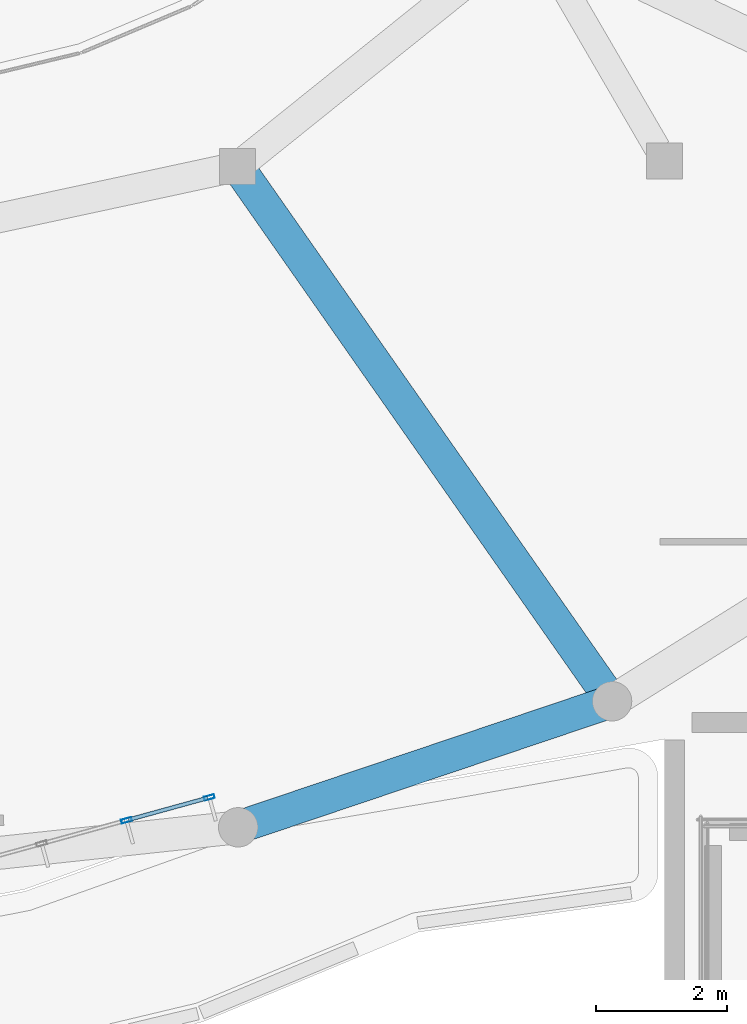
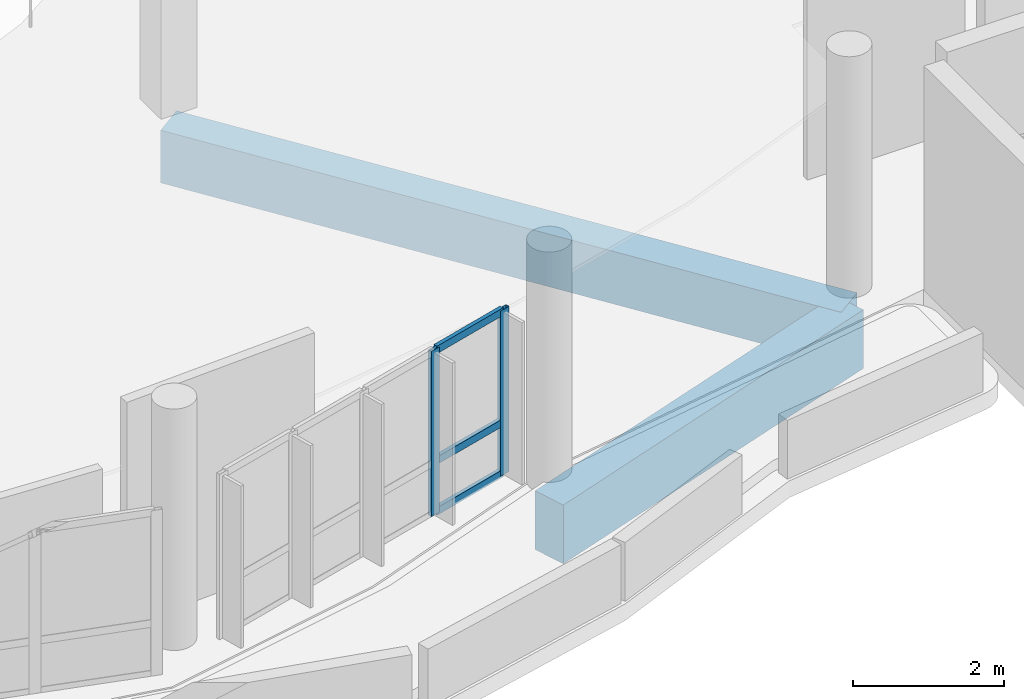
# One storey, part 29 of 74: 5 members, 2 beams, 1 element without a shape of its own.
"""IFC4 building model written with IfcOpenShell, lengths in metres."""

from ifc_helpers import new_model, si_unit, derived_unit, direction, frame, origin, origin_2d, place, context, subcontext, project, spatial, rectangle, hollow_rectangle, extrude, material, layer, layer_set, material_profile, profile_set, type_object, element, aggregate, save


model = new_model("IFC4")

# Units and contexts
model_context = context("Model", 3, precision=1e-05, world=origin(), true_north=direction((0.0, 1.0)))
body_context = subcontext(model_context, "Body", "Model", "MODEL_VIEW")
ifc_project = project(units=[si_unit("LENGTHUNIT", "METRE"), si_unit("AREAUNIT", "SQUARE_METRE"), si_unit("VOLUMEUNIT", "CUBIC_METRE"), si_unit("PLANEANGLEUNIT", "RADIAN"), si_unit("MASSUNIT", "GRAM", prefix="KILO"), derived_unit("THERMALTRANSMITTANCEUNIT", [(si_unit("POWERUNIT", "WATT"), 1), (si_unit("LENGTHUNIT", "METRE"), -2), (si_unit("THERMODYNAMICTEMPERATUREUNIT", "KELVIN"), -1)])], contexts=[model_context])

# Site, building, storey
site_placement = place(None, origin())
site = spatial("IfcSite", under=ifc_project, at=site_placement, CompositionType="ELEMENT")
building_placement = place(site_placement, origin())
building = spatial("IfcBuilding", under=site, at=building_placement, Name="Elbkamm Science Centre", CompositionType="ELEMENT")
storey_placement = place(building_placement, frame((0.0, 0.0, 14.39990234375)))
storey = spatial("IfcBuildingStorey", under=building, at=storey_placement, Name="L03", CompositionType="ELEMENT", Elevation=14.39990234375)

# Beams
ifc_material_1 = material(Name="Concrete C40/50", Category="concrete")
ifc_material_profile_1 = material_profile(ifc_material_1, rectangle(XDim=0.5, YDim=0.85009765625, at=origin_2d()), Name="RC 500x850")
ifc_profile_set_1 = profile_set([ifc_material_profile_1], Name="Concrete C40/50")
beam_type_1 = type_object("IfcBeamType", Name="BM-RC-500x850", PredefinedType="BEAM", material=ifc_profile_set_1)
beam_1_placement = place(storey_placement, frame((69.10009765625, 58.712890625, -0.704833984375), z_axis=(0.573553022395, -0.819168438419, 0.0), x_axis=(0.819168438419, 0.573553022395, 0.0)))
element("IfcBeam", 1, at=beam_1_placement, inside=storey, type_object=beam_type_1, Name="L03 Elliptical Radial Girder 11", PredefinedType="BEAM", context=body_context, shape_type="SweptSolid", body=[
    extrude(rectangle(XDim=0.5, YDim=0.85009765625, at=origin_2d()), origin(), (0.0, 0.0, 1.0), 9.93798828125),
])
ifc_material_profile_2 = material_profile(ifc_material_1, rectangle(XDim=0.5, YDim=0.949951171875, at=origin_2d()), Name="RC 500x950")
ifc_profile_set_2 = profile_set([ifc_material_profile_2], Name="Concrete C40/50")
beam_type_2 = type_object("IfcBeamType", Name="BM-RC-500x950", PredefinedType="BEAM", material=ifc_profile_set_2)
beam_2_placement = place(storey_placement, frame((69.10791015625, 48.654052734375, -0.7548828125), z_axis=(0.947649950761, 0.319311087848, 0.0), x_axis=(-0.319311087848, 0.947649950761, 0.0)))
element("IfcBeam", 2, at=beam_2_placement, inside=storey, type_object=beam_type_2, Name="L03 Elliptical Shell Perimeter Ring Beam 20", PredefinedType="SPANDREL", context=body_context, shape_type="SweptSolid", body=[
    extrude(rectangle(XDim=0.5, YDim=0.949951171875, at=origin_2d()), origin(), (0.0, 0.0, 1.0), 6.006591796875),
])

# Curtain wall, members
ifc_material_2 = material(Name="Powder-coated aluminium and triple low-E glazing", Category="aluminium")
ifc_layer = layer(ifc_material_2, 0.159912109375)
ifc_layer_set = layer_set([ifc_layer], Name="Powder-coated aluminium and triple low-E glazing")
curtain_wall_type = type_object("IfcCurtainWallType", Name="CW-UNIT-5360x2680", PredefinedType="USERDEFINED", material=ifc_layer_set)
curtain_wall_placement = place(storey_placement, origin())
curtain_wall = element("IfcCurtainWall", 3, at=curtain_wall_placement, inside=storey, type_object=curtain_wall_type, Name="L03 Unitised Curtain Wall 071", ObjectType="UNITISED CURTAIN WALL", PredefinedType="USERDEFINED")
ifc_material_3 = material(Name="Powder-coated aluminium EN AW-6060", Category="aluminium")
ifc_material_profile_3 = material_profile(ifc_material_3, hollow_rectangle(XDim=0.06005859375, YDim=0.159912109375, WallThickness=0.00390625, at=origin_2d()), Name="ALU M60x160")
ifc_profile_set_3 = profile_set([ifc_material_profile_3], Name="Powder-coated aluminium EN AW-6060")
member_type_1 = type_object("IfcMemberType", Name="CW-MUL-60x160", PredefinedType="MULLION", material=ifc_profile_set_3)
member_1_placement = place(storey_placement, frame((67.40771484375, 48.76025390625, 0.0), z_axis=(0.0, 0.0, 1.0), x_axis=(-0.265729742405, 0.964047563143, 0.0)))
member_1 = element("IfcMember", 4, at=member_1_placement, type_object=member_type_1, Name="CW-030 mullion 4", PredefinedType="MULLION", context=body_context, shape_type="SweptSolid", body=[
    extrude(hollow_rectangle(XDim=0.06005859375, YDim=0.159912109375, WallThickness=0.00390625, at=origin_2d()), origin(), (0.0, 0.0, 1.0), 2.670166015625),
])
member_2_placement = place(storey_placement, frame((68.66943359375, 49.108154296875, 0.0), z_axis=(0.0, 0.0, 1.0), x_axis=(-0.265729742405, 0.964047563143, 0.0)))
member_2 = element("IfcMember", 5, at=member_2_placement, type_object=member_type_1, Name="CW-030 mullion 5", PredefinedType="MULLION", context=body_context, shape_type="SweptSolid", body=[
    extrude(hollow_rectangle(XDim=0.06005859375, YDim=0.159912109375, WallThickness=0.00390625, at=origin_2d()), origin(), (0.0, 0.0, 1.0), 2.670166015625),
])
ifc_material_profile_4 = material_profile(ifc_material_3, hollow_rectangle(XDim=0.06005859375, YDim=0.1201171875, WallThickness=0.00341796875, at=origin_2d()), Name="ALU T60x120")
ifc_profile_set_4 = profile_set([ifc_material_profile_4], Name="Powder-coated aluminium EN AW-6060")
member_type_2 = type_object("IfcMemberType", Name="CW-TRN-60x120", PredefinedType="USERDEFINED", material=ifc_profile_set_4)
member_3_placement = place(storey_placement, frame((67.4365234375, 48.768310546875, 0.030029296875), z_axis=(0.964070334011, 0.265647117583, 0.0), x_axis=(-0.265647117583, 0.964070334011, 0.0)))
member_3 = element("IfcMember", 6, at=member_3_placement, type_object=member_type_2, Name="CW-030 transom 4.1", ObjectType="TRANSOM", PredefinedType="USERDEFINED", context=body_context, shape_type="SweptSolid", body=[
    extrude(hollow_rectangle(XDim=0.06005859375, YDim=0.1201171875, WallThickness=0.00341796875, at=origin_2d()), origin(), (0.0, 0.0, 1.0), 1.2490234375),
])
member_4_placement = place(storey_placement, frame((67.4365234375, 48.768310546875, 0.85009765625), z_axis=(0.964070334011, 0.265647117583, 0.0), x_axis=(-0.265647117583, 0.964070334011, 0.0)))
member_4 = element("IfcMember", 7, at=member_4_placement, type_object=member_type_2, Name="CW-030 transom 4.2", ObjectType="TRANSOM", PredefinedType="USERDEFINED", context=body_context, shape_type="SweptSolid", body=[
    extrude(hollow_rectangle(XDim=0.06005859375, YDim=0.1201171875, WallThickness=0.00341796875, at=origin_2d()), origin(), (0.0, 0.0, 1.0), 1.2490234375),
])
member_5_placement = place(storey_placement, frame((67.4365234375, 48.768310546875, 2.64013671875), z_axis=(0.964070334011, 0.265647117583, 0.0), x_axis=(-0.265647117583, 0.964070334011, 0.0)))
member_5 = element("IfcMember", 8, at=member_5_placement, type_object=member_type_2, Name="CW-030 transom 4.3", ObjectType="TRANSOM", PredefinedType="USERDEFINED", context=body_context, shape_type="SweptSolid", body=[
    extrude(hollow_rectangle(XDim=0.06005859375, YDim=0.1201171875, WallThickness=0.00341796875, at=origin_2d()), origin(), (0.0, 0.0, 1.0), 1.2490234375),
])
aggregate(curtain_wall, [member_1, member_2, member_3, member_4, member_5])

save(model, "model.ifc")
